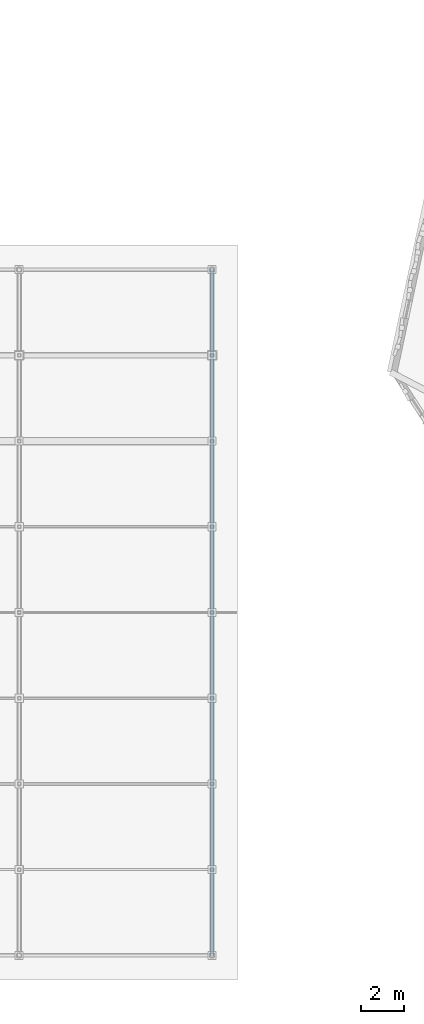
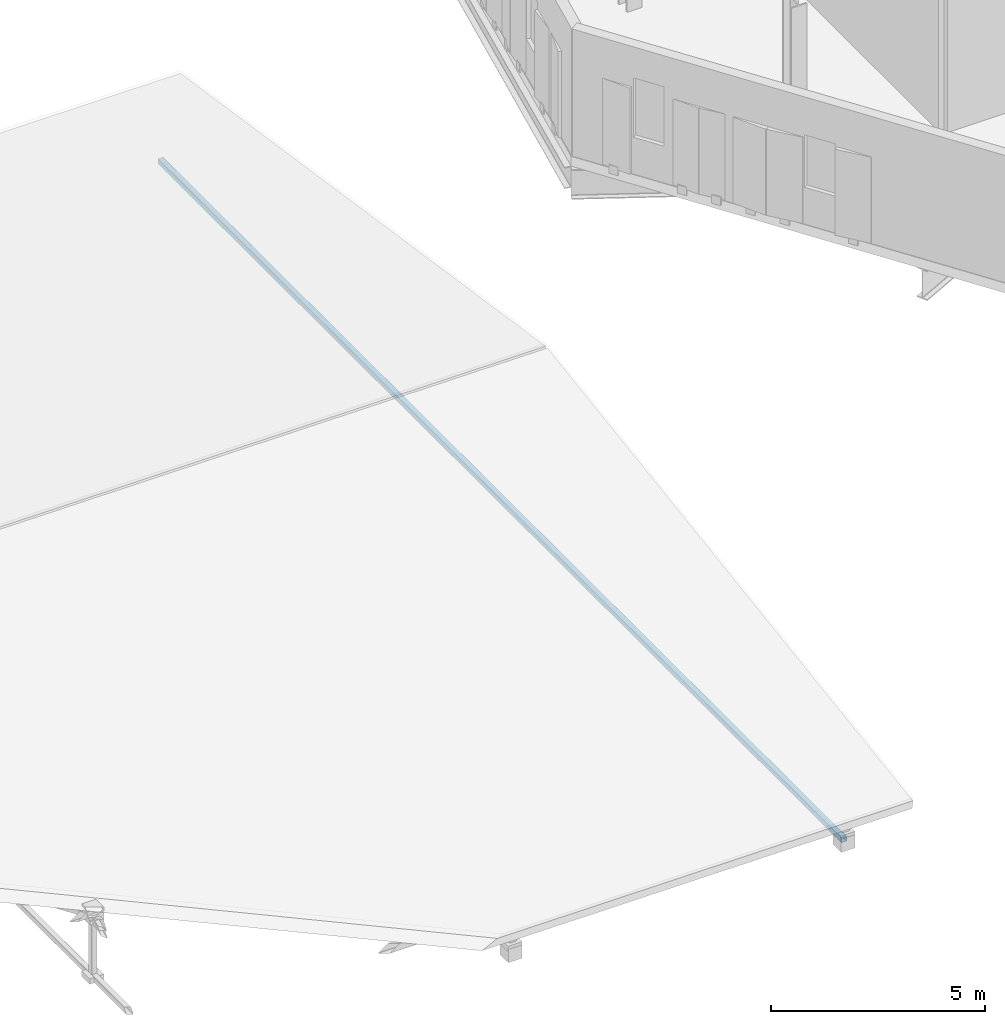
# One storey, part 21 of 118: 1 beam.
"""IFC4 building model written with IfcOpenShell, lengths in metres."""

from ifc_helpers import new_model, si_unit, direction, frame, origin, origin_2d, place, context, subcontext, project, spatial, hollow_rectangle, extrude, material, material_profile, profile_set, type_object, element, save


model = new_model("IFC4")

# Units and contexts
model_context = context("Model", 3, precision=1e-05, world=origin(), true_north=direction((0.0, 1.0)))
body_context = subcontext(model_context, "Body", "Model", "MODEL_VIEW")
ifc_project = project(units=[si_unit("LENGTHUNIT", "METRE"), si_unit("AREAUNIT", "SQUARE_METRE"), si_unit("VOLUMEUNIT", "CUBIC_METRE"), si_unit("PLANEANGLEUNIT", "RADIAN"), si_unit("MASSUNIT", "GRAM", prefix="KILO"), si_unit("THERMODYNAMICTEMPERATUREUNIT", "KELVIN"), si_unit("POWERUNIT", "WATT")], contexts=[model_context])

# Site, building, storey
site_placement = place(None, origin())
site = spatial("IfcSite", under=ifc_project, at=site_placement, CompositionType="ELEMENT")
building_placement = place(site_placement, origin())
building = spatial("IfcBuilding", under=site, at=building_placement, Name="Zelmaris Science Centre", CompositionType="ELEMENT")
storey_placement = place(building_placement, frame((0.0, 0.0, 15.60009765625)))
storey = spatial("IfcBuildingStorey", under=building, at=storey_placement, Name="L03", CompositionType="ELEMENT", Elevation=15.60009765625)

# Beam
ifc_material = material(Name="Steel ASTM A500 Grade C", Category="steel")
ifc_material_profile = material_profile(ifc_material, hollow_rectangle(XDim=0.15234375, YDim=0.15234375, WallThickness=0.0087890625, InnerFilletRadius=0.0087890625, OuterFilletRadius=0.017822265625, at=origin_2d()), Name="HSS152X152X10")
ifc_profile_set = profile_set([ifc_material_profile], Name="Steel ASTM A500 Grade C")
beam_type = type_object("IfcBeamType", Name="Beam G-21 HSS152X152X10", PredefinedType="BEAM", material=ifc_profile_set)
beam_placement = place(storey_placement, frame((54.0, 8.0, -0.1044921875), z_axis=(0.0, 1.0, 0.0), x_axis=(-1.0, 0.0, 0.0)))
element("IfcBeam", 1, at=beam_placement, inside=storey, type_object=beam_type, Name="RF-V3 Roof truss 6 bottom chord", PredefinedType="BEAM", context=body_context, shape_type="SweptSolid", body=[
    extrude(hollow_rectangle(XDim=0.15234375, YDim=0.15234375, WallThickness=0.0087890625, InnerFilletRadius=0.0087890625, OuterFilletRadius=0.017822265625, at=origin_2d()), origin(), (0.0, 0.0, 1.0), 32.0),
])

save(model, "model.ifc")
